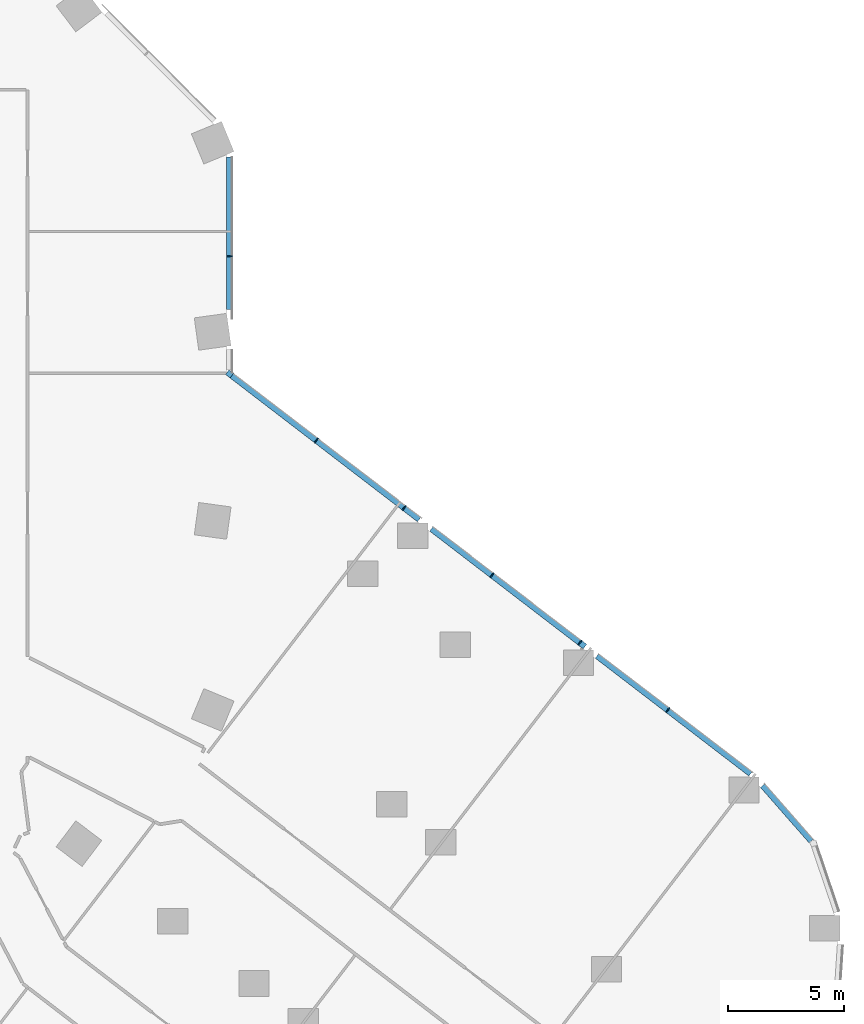
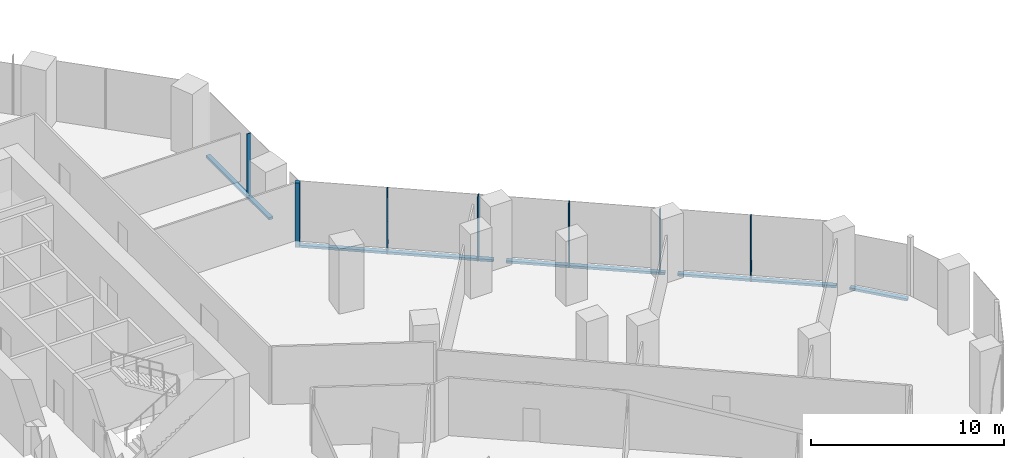
# One storey, part 9 of 29: 12 members, 3 elements without a shape of their own.
"""IFC4 building model written with IfcOpenShell, lengths in metres."""

import ifcopenshell
import ifcopenshell.guid

model = None  # the IFC model being written
_history = None  # IfcOwnerHistory: only IFC2X3 demands one
_inside = {}  # id of a spatial element -> (the spatial element, [elements in it])
_under = {}  # id of a project, library or spatial element -> (it, [spatial elements below it])
_declared = {}  # id of a project -> (the project, [libraries it declares])
_typed = {}  # id of a type object -> (the type object, [elements of that type])
_made_of = {}  # id of a material, layer set ... -> (it, [elements and type objects made of it])


def new_model(schema):
    """Start an empty IFC model of exactly this schema.

    Asked for "IFC4X3", IfcOpenShell would pick the latest addendum, in which some entities
    have other attributes; the version numbers below select the first issue.
    IFC2X3 requires an IfcOwnerHistory on every rooted entity: one is made here for all.
    """
    global model, _history
    if schema == "IFC4X3":
        model = ifcopenshell.file(schema_version=(4, 3, 0, 0))
    else:
        model = ifcopenshell.file(schema=schema)
    _inside.clear()
    _under.clear()
    _declared.clear()
    _typed.clear()
    _made_of.clear()
    _history = None
    if model.schema == "IFC2X3":
        org = make("IfcOrganization", Name="unknown")
        user = make(
            "IfcPersonAndOrganization",
            ThePerson=make("IfcPerson", FamilyName="unknown"),
            TheOrganization=org,
        )
        app = make(
            "IfcApplication",
            ApplicationDeveloper=org,
            Version="unknown",
            ApplicationFullName="unknown",
            ApplicationIdentifier="unknown",
        )
        _history = make(
            "IfcOwnerHistory",
            OwningUser=user,
            OwningApplication=app,
            ChangeAction="ADDED",
            CreationDate=0,
        )
    return model


def make(cls, **values):
    """One entity of the class cls with the attributes given. An attribute that is None is left unset."""
    return model.create_entity(
        cls, **{name: value for name, value in values.items() if value is not None}
    )


def rooted(cls, **values):
    """An entity with a GlobalId (a new one), such as an element, a storey or a relation."""
    return make(cls, GlobalId=ifcopenshell.guid.new(), OwnerHistory=_history, **values)


def si_unit(unit_type, name, prefix=None):
    """IfcSIUnit, for example si_unit("LENGTHUNIT", "METRE", prefix="MILLI")."""
    return make("IfcSIUnit", UnitType=unit_type, Prefix=prefix, Name=name)


def assignment(units):
    """IfcUnitAssignment: the units of a project."""
    return None if units is None else make("IfcUnitAssignment", Units=units)


def point(xyz):
    """IfcCartesianPoint."""
    return None if xyz is None else make("IfcCartesianPoint", Coordinates=xyz)


def direction(xyz):
    """IfcDirection."""
    return None if xyz is None else make("IfcDirection", DirectionRatios=xyz)


def frame(location, z_axis=None, x_axis=None):
    """IfcAxis2Placement3D, a coordinate frame: its origin and axes. An axis left out is left unset."""
    return make(
        "IfcAxis2Placement3D",
        Location=point(location),
        Axis=direction(z_axis),
        RefDirection=direction(x_axis),
    )


def frame_2d(location, x_axis=None):
    """IfcAxis2Placement2D, a coordinate frame in the plane: its origin and x axis."""
    return make(
        "IfcAxis2Placement2D", Location=point(location), RefDirection=direction(x_axis)
    )


def origin():
    """The frame at (0, 0, 0) with its axes left unset."""
    return frame((0.0, 0.0, 0.0))


def origin_2d():
    """The frame at (0, 0) in the plane with its x axis left unset."""
    return frame_2d((0.0, 0.0))


def place(relative_to, where):
    """IfcLocalPlacement: puts the frame where relative to a parent placement (None: the world)."""
    return make(
        "IfcLocalPlacement", PlacementRelTo=relative_to, RelativePlacement=where
    )


def context(
    kind, dimensions, precision=None, world=None, true_north=None, identifier=None
):
    """IfcGeometricRepresentationContext, for example the 3D "Model" context."""
    return make(
        "IfcGeometricRepresentationContext",
        ContextIdentifier=identifier,
        ContextType=kind,
        CoordinateSpaceDimension=dimensions,
        Precision=precision,
        WorldCoordinateSystem=world,
        TrueNorth=true_north,
    )


def subcontext(parent, identifier, kind, view, scale=None):
    """IfcGeometricRepresentationSubContext, for example "Body" below "Model"."""
    return make(
        "IfcGeometricRepresentationSubContext",
        ContextIdentifier=identifier,
        ContextType=kind,
        ParentContext=parent,
        TargetScale=scale,
        TargetView=view,
    )


def project(units=None, contexts=None):
    """IfcProject with its units and contexts."""
    return rooted(
        "IfcProject",
        Name="project",
        RepresentationContexts=contexts,
        UnitsInContext=assignment(units),
    )


def spatial(cls, under=None, at=None, **own):
    """A site, building, storey or space (cls), placed at a placement, below another one or the project."""
    s = rooted(cls, ObjectPlacement=at, **own)
    if under is not None:
        _under.setdefault(under.id(), (under, []))[1].append(s)
    return s


def profile(cls, at=None, kind="AREA", **sizes):
    """A parametric profile (cls). Its sizes go by their IFC names, for example OverallWidth=200.0."""
    return make(cls, ProfileType=kind, Position=at, **sizes)


def rectangle(**sizes):
    """IfcRectangleProfileDef."""
    return profile("IfcRectangleProfileDef", **sizes)


def extrude(swept, where, along, depth):
    """IfcExtrudedAreaSolid: the profile swept, set in the frame where, extruded along a direction by depth."""
    return make(
        "IfcExtrudedAreaSolid",
        SweptArea=swept,
        Position=where,
        ExtrudedDirection=direction(along),
        Depth=depth,
    )


def shape(context_of_items, identifier, shape_type, items):
    """IfcShapeRepresentation: the items that make up one representation, for example the "Body"."""
    return make(
        "IfcShapeRepresentation",
        ContextOfItems=context_of_items,
        RepresentationIdentifier=identifier,
        RepresentationType=shape_type,
        Items=items,
    )


def material(Name=None, Category=None):
    """IfcMaterial."""
    return make("IfcMaterial", Name=Name, Category=Category)


def material_profile(
    of_material, cross_section, Name=None, Category=None, Priority=None
):
    """IfcMaterialProfile: a cross section and its material."""
    return make(
        "IfcMaterialProfile",
        Name=Name,
        Material=of_material,
        Profile=cross_section,
        Priority=Priority,
        Category=Category,
    )


def profile_set(profiles, Name=None, composite=None):
    """IfcMaterialProfileSet."""
    return make(
        "IfcMaterialProfileSet",
        Name=Name,
        MaterialProfiles=profiles,
        CompositeProfile=composite,
    )


def made_of(thing, what):
    """Note that an element or type object is made of a material, layer set ...; save() writes the relation."""
    if what is not None:
        _made_of.setdefault(what.id(), (what, []))[1].append(thing)
    return thing


def type_object(cls, material=None, **own):
    """A type object (cls), such as IfcWallType, which elements share."""
    return made_of(rooted(cls, **own), material)


def element(
    cls,
    number,
    at=None,
    inside=None,
    cuts=None,
    type_object=None,
    material=None,
    context=None,
    identifier="Body",
    shape_type=None,
    held_by="IfcProductDefinitionShape",
    body=None,
    shapes=None,
    **own,
):
    """One element of the class cls, such as IfcWall. Its Tag is "e" and its number.

    at: its placement. inside: the storey or other place that contains it. cuts: it is an
    opening in that element (IfcRelVoidsElement). A single representation is given by context,
    identifier, shape_type and body (its items); several are given by shapes. held_by: the class
    of the entity that holds the representations. save() writes the other relations.
    """
    e = rooted(cls, Tag="e%d" % number, ObjectPlacement=at, **own)
    if body is not None:
        shapes = [shape(context, identifier, shape_type, body)]
    if shapes is not None:
        e.Representation = make(held_by, Representations=shapes)
    if inside is not None:
        _inside.setdefault(inside.id(), (inside, []))[1].append(e)
    if cuts is not None:
        rooted(
            "IfcRelVoidsElement", RelatingBuildingElement=cuts, RelatedOpeningElement=e
        )
    if type_object is not None:
        _typed.setdefault(type_object.id(), (type_object, []))[1].append(e)
    return made_of(e, material)


def aggregate(whole, parts):
    """IfcRelAggregates: a whole, such as a stair, and the parts it consists of."""
    return rooted("IfcRelAggregates", RelatingObject=whole, RelatedObjects=parts)


def save(model, path):
    """Write the relations noted so far, then the file.

    IfcRelAggregates (storeys below a building ...), IfcRelContainedInSpatialStructure (elements
    in a storey), IfcRelDefinesByType, IfcRelAssociatesMaterial and IfcRelDeclares: one each for
    every whole, place, type object, material and project.
    """
    for whole, parts in _under.values():
        aggregate(whole, parts)
    for where, things in _inside.values():
        rooted(
            "IfcRelContainedInSpatialStructure",
            RelatedElements=things,
            RelatingStructure=where,
        )
    for kind, things in _typed.values():
        rooted("IfcRelDefinesByType", RelatedObjects=things, RelatingType=kind)
    for what, things in _made_of.values():
        rooted("IfcRelAssociatesMaterial", RelatedObjects=things, RelatingMaterial=what)
    for by, libraries in _declared.values():
        rooted("IfcRelDeclares", RelatingContext=by, RelatedDefinitions=libraries)
    model.write(path)


model = new_model("IFC4")

# Units and contexts
model_context = context("Model", 3, precision=1e-05, world=origin(), true_north=direction((0.0, 1.0)))
body_context = subcontext(model_context, "Body", "Model", "MODEL_VIEW")
ifc_project = project(units=[si_unit("LENGTHUNIT", "METRE"), si_unit("AREAUNIT", "SQUARE_METRE"), si_unit("VOLUMEUNIT", "CUBIC_METRE"), si_unit("PLANEANGLEUNIT", "RADIAN"), si_unit("MASSUNIT", "GRAM", prefix="KILO")], contexts=[model_context])

# Site, building, storey
site_placement = place(None, origin())
site = spatial("IfcSite", under=ifc_project, at=site_placement, CompositionType="ELEMENT")
building_placement = place(site_placement, origin())
building = spatial("IfcBuilding", under=site, at=building_placement, Name="Orlundy Tower", CompositionType="ELEMENT")
storey_placement = place(building_placement, frame((0.0, 0.0, 29.199951171875)))
storey = spatial("IfcBuildingStorey", under=building, at=storey_placement, Name="L05", CompositionType="ELEMENT", Elevation=29.199951171875)

# Curtain wall, member
ifc_material_1 = material(Name="Aluminium bronze anodised", Category="aluminium")
curtain_wall_type = type_object("IfcCurtainWallType", Name="CW2 wall", PredefinedType="NOTDEFINED", material=ifc_material_1)
curtain_wall_1_placement = place(storey_placement, origin())
curtain_wall_1 = element("IfcCurtainWall", 1, at=curtain_wall_1_placement, inside=storey, type_object=curtain_wall_type, Name="CW2 run 018", PredefinedType="NOTDEFINED")
ifc_material_2 = material(Name="Aluminium bronze anodised", Category="aluminium")
ifc_material_profile_1 = material_profile(ifc_material_2, rectangle(XDim=0.25, YDim=0.25, at=origin_2d()), Name="CW2 corner post 250x250")
ifc_profile_set_1 = profile_set([ifc_material_profile_1], Name="Aluminium bronze anodised")
member_type_1 = type_object("IfcMemberType", Name="CW2 corner post 250x250", PredefinedType="MULLION", material=ifc_profile_set_1)
member_1_placement = place(storey_placement, frame((30.125, 2.251708984375, -0.39990234375), z_axis=(0.0, 0.0, 1.0), x_axis=(0.608778774146, 0.793340030598, 0.0)))
member_1 = element("IfcMember", 2, at=member_1_placement, type_object=member_type_1, Name="CW2 mullion 51", PredefinedType="MULLION", context=body_context, shape_type="SweptSolid", body=[
    extrude(rectangle(XDim=0.25, YDim=0.25, at=origin_2d()), origin(), (0.0, 0.0, 1.0), 4.079833984375),
])

curtain_wall_2_placement = place(storey_placement, origin())
curtain_wall_2 = element("IfcCurtainWall", 3, at=curtain_wall_2_placement, inside=storey, type_object=curtain_wall_type, Name="CW2 run 017", PredefinedType="NOTDEFINED")
ifc_material_3 = material(Name="Aluminium bronze anodised", Category="aluminium")
ifc_material_profile_2 = material_profile(ifc_material_3, rectangle(XDim=0.25, YDim=0.050048828125, at=origin_2d()), Name="CW2 mullion 50x250")
ifc_profile_set_2 = profile_set([ifc_material_profile_2], Name="Aluminium bronze anodised")
member_type_2 = type_object("IfcMemberType", Name="CW2 mullion 50x250", PredefinedType="MULLION", material=ifc_profile_set_2)
member_2_placement = place(storey_placement, frame((30.125, 7.30810546875, -0.39990234375), z_axis=(0.0, 0.0, 1.0), x_axis=(1.0, 0.0, 0.0)))
member_2 = element("IfcMember", 4, at=member_2_placement, type_object=member_type_2, Name="CW2 mullion 50", PredefinedType="MULLION", context=body_context, shape_type="SweptSolid", body=[
    extrude(rectangle(XDim=0.25, YDim=0.050048828125, at=origin_2d()), origin(), (0.0, 0.0, 1.0), 4.079833984375),
])

# Member
member_3_placement = place(storey_placement, frame((33.848876953125, -0.605712890625, -0.39990234375), z_axis=(0.0, 0.0, 1.0), x_axis=(0.608778774146, 0.793340030598, 0.0)))
member_3 = element("IfcMember", 5, at=member_3_placement, type_object=member_type_2, Name="CW2 mullion 52", PredefinedType="MULLION", context=body_context, shape_type="SweptSolid", body=[
    extrude(rectangle(XDim=0.25, YDim=0.050048828125, at=origin_2d()), origin(), (0.0, 0.0, 1.0), 4.079833984375),
])

member_4_placement = place(storey_placement, frame((37.621337890625, -3.500732421875, -0.39990234375), z_axis=(0.0, 0.0, 1.0), x_axis=(0.608778774146, 0.793340030598, 0.0)))
member_4 = element("IfcMember", 6, at=member_4_placement, type_object=member_type_2, Name="CW2 mullion 53", PredefinedType="MULLION", context=body_context, shape_type="SweptSolid", body=[
    extrude(rectangle(XDim=0.25, YDim=0.050048828125, at=origin_2d()), origin(), (0.0, 0.0, 1.0), 4.079833984375),
])

member_5_placement = place(storey_placement, frame((41.39404296875, -6.395751953125, -0.39990234375), z_axis=(0.0, 0.0, 1.0), x_axis=(0.608778774146, 0.793340030598, 0.0)))
member_5 = element("IfcMember", 7, at=member_5_placement, type_object=member_type_2, Name="CW2 mullion 54", PredefinedType="MULLION", context=body_context, shape_type="SweptSolid", body=[
    extrude(rectangle(XDim=0.25, YDim=0.050048828125, at=origin_2d()), origin(), (0.0, 0.0, 1.0), 4.079833984375),
])

member_6_placement = place(storey_placement, frame((45.166748046875, -9.290771484375, -0.39990234375), z_axis=(0.0, 0.0, 1.0), x_axis=(0.608778774146, 0.793340030598, 0.0)))
member_6 = element("IfcMember", 8, at=member_6_placement, type_object=member_type_2, Name="CW2 mullion 55", PredefinedType="MULLION", context=body_context, shape_type="SweptSolid", body=[
    extrude(rectangle(XDim=0.25, YDim=0.050048828125, at=origin_2d()), origin(), (0.0, 0.0, 1.0), 4.079833984375),
])

member_7_placement = place(storey_placement, frame((48.939453125, -12.185791015625, -0.39990234375), z_axis=(0.0, 0.0, 1.0), x_axis=(0.608778774146, 0.793340030598, 0.0)))
member_7 = element("IfcMember", 9, at=member_7_placement, type_object=member_type_2, Name="CW2 mullion 56", PredefinedType="MULLION", context=body_context, shape_type="SweptSolid", body=[
    extrude(rectangle(XDim=0.25, YDim=0.050048828125, at=origin_2d()), origin(), (0.0, 0.0, 1.0), 4.079833984375),
])

ifc_material_4 = material(Name="Aluminium bronze anodised", Category="aluminium")
ifc_material_profile_3 = material_profile(ifc_material_4, rectangle(XDim=0.25, YDim=0.14990234375, at=origin_2d()), Name="CW2 transom 250x150")
ifc_profile_set_3 = profile_set([ifc_material_profile_3], Name="Aluminium bronze anodised")
member_type_3 = type_object("IfcMemberType", Name="CW2 transom 250x150", PredefinedType="USERDEFINED", material=ifc_profile_set_3)
member_8_placement = place(storey_placement, frame((30.125, 11.558349609375, -0.324951171875), z_axis=(0.0, -1.0, 0.0), x_axis=(1.0, 0.0, 0.0)))
member_8 = element("IfcMember", 10, at=member_8_placement, type_object=member_type_3, Name="CW2 transom", ObjectType="TRANSOM", PredefinedType="USERDEFINED", context=body_context, shape_type="SweptSolid", body=[
    extrude(rectangle(XDim=0.25, YDim=0.14990234375, at=origin_2d()), origin(), (0.0, 0.0, 1.0), 6.541259765625),
])

aggregate(curtain_wall_2, [member_2, member_8])

member_9_placement = place(storey_placement, frame((30.22412109375, 2.175537109375, -0.324951171875), z_axis=(0.793338529659, -0.608780730115, 0.0), x_axis=(0.608780730115, 0.793338529659, 0.0)))
member_9 = element("IfcMember", 11, at=member_9_placement, type_object=member_type_3, Name="CW2 transom", ObjectType="TRANSOM", PredefinedType="USERDEFINED", context=body_context, shape_type="SweptSolid", body=[
    extrude(rectangle(XDim=0.25, YDim=0.14990234375, at=origin_2d()), origin(), (0.0, 0.0, 1.0), 10.140869140625),
])

member_10_placement = place(storey_placement, frame((38.791015625, -4.398193359375, -0.324951171875), z_axis=(0.793330115925, -0.608791694396, 0.0), x_axis=(0.608791694396, 0.793330115925, 0.0)))
member_10 = element("IfcMember", 12, at=member_10_placement, type_object=member_type_3, Name="CW2 transom", ObjectType="TRANSOM", PredefinedType="USERDEFINED", context=body_context, shape_type="SweptSolid", body=[
    extrude(rectangle(XDim=0.25, YDim=0.14990234375, at=origin_2d()), origin(), (0.0, 0.0, 1.0), 8.3095703125),
])

member_11_placement = place(storey_placement, frame((45.904052734375, -9.8564453125, -0.324951171875), z_axis=(0.793333416806, -0.60878739292, 0.0), x_axis=(0.60878739292, 0.793333416806, 0.0)))
member_11 = element("IfcMember", 13, at=member_11_placement, type_object=member_type_3, Name="CW2 transom", ObjectType="TRANSOM", PredefinedType="USERDEFINED", context=body_context, shape_type="SweptSolid", body=[
    extrude(rectangle(XDim=0.25, YDim=0.14990234375, at=origin_2d()), origin(), (0.0, 0.0, 1.0), 8.309326171875),
])

aggregate(curtain_wall_1, [member_1, member_3, member_4, member_5, member_6, member_7, member_9, member_10, member_11])

# Curtain wall, member
curtain_wall_3_placement = place(storey_placement, origin())
curtain_wall_3 = element("IfcCurtainWall", 14, at=curtain_wall_3_placement, inside=storey, type_object=curtain_wall_type, Name="CW2 run 019", PredefinedType="NOTDEFINED")
member_12_placement = place(storey_placement, frame((53.01806640625, -15.426025390625, -0.324951171875), z_axis=(0.659302964392, -0.751877384381, 0.0), x_axis=(0.751877384381, 0.659302964392, 0.0)))
member_12 = element("IfcMember", 15, at=member_12_placement, type_object=member_type_3, Name="CW2 transom", ObjectType="TRANSOM", PredefinedType="USERDEFINED", context=body_context, shape_type="SweptSolid", body=[
    extrude(rectangle(XDim=0.25, YDim=0.14990234375, at=origin_2d()), origin(), (0.0, 0.0, 1.0), 3.159423828125),
])
aggregate(curtain_wall_3, [member_12])

save(model, "model.ifc")
